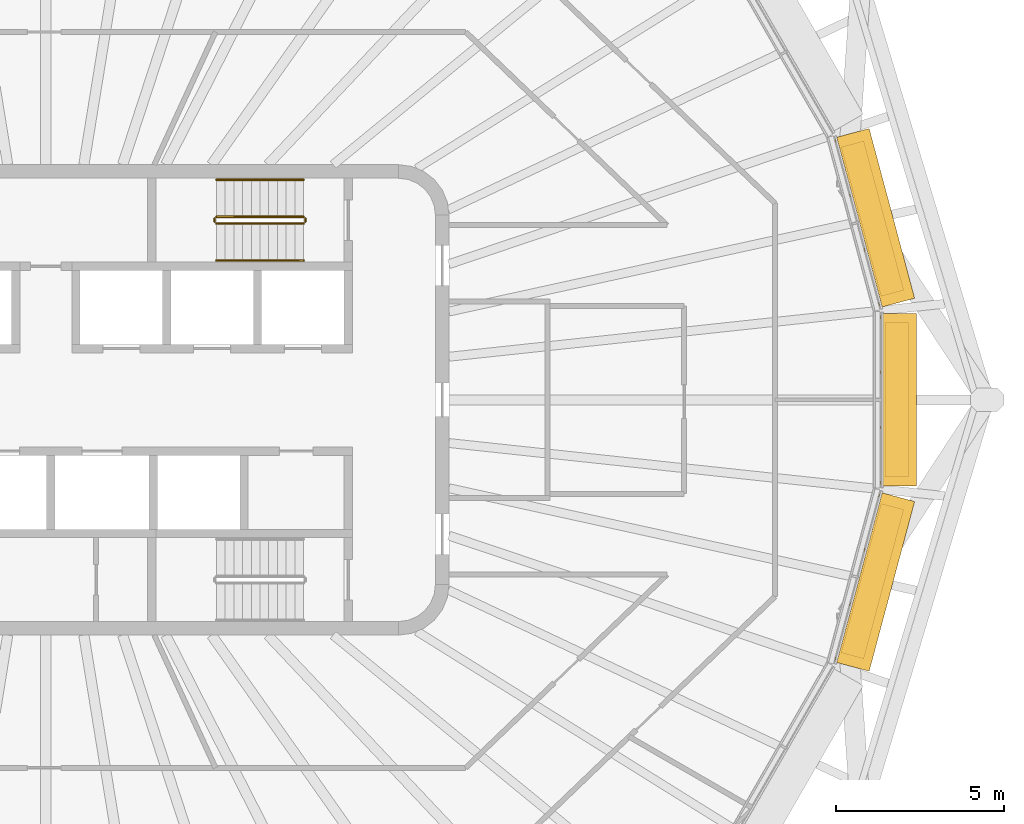
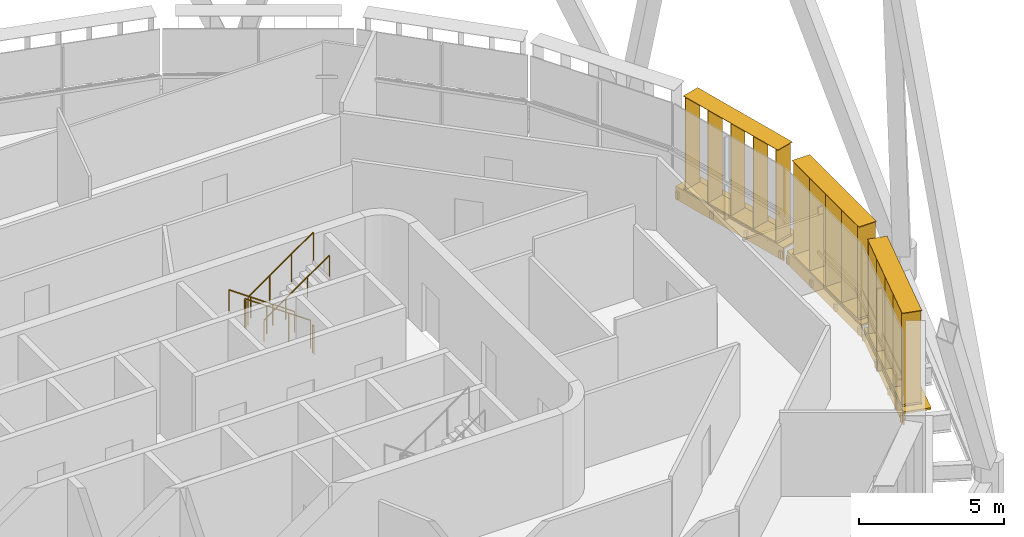
# One storey, part 17 of 18: 6 railings, 6 shading devices.
"""IFC4 building model written with IfcOpenShell, lengths in metres."""

from ifc_helpers import new_model, si_unit, direction, frame, origin, origin_2d, place, context, subcontext, project, spatial, rectangle, circle, extrude, material, type_object, element, save


model = new_model("IFC4")

# Units and contexts
model_context = context("Model", 3, precision=1e-05, world=origin(), true_north=direction((0.0, 1.0)))
body_context = subcontext(model_context, "Body", "Model", "MODEL_VIEW")
ifc_project = project(units=[si_unit("LENGTHUNIT", "METRE"), si_unit("AREAUNIT", "SQUARE_METRE"), si_unit("VOLUMEUNIT", "CUBIC_METRE"), si_unit("PLANEANGLEUNIT", "RADIAN"), si_unit("MASSUNIT", "GRAM", prefix="KILO")], contexts=[model_context])

# Site, building, storey
site_placement = place(None, origin())
site = spatial("IfcSite", under=ifc_project, at=site_placement, CompositionType="ELEMENT")
building_placement = place(site_placement, origin())
building = spatial("IfcBuilding", under=site, at=building_placement, Name="Sahrelin Media Tower", CompositionType="ELEMENT")
storey_placement = place(building_placement, frame((0.0, 0.0, 316.39990234375)))
storey = spatial("IfcBuildingStorey", under=building, at=storey_placement, Name="L70", CompositionType="ELEMENT", Elevation=316.39990234375)

# Shading devices
ifc_material_1 = material(Name="Champagne anodised aluminium 6063-T6", Category="aluminium")
shading_device_type_1 = type_object("IfcShadingDeviceType", Name="Fin cassette", PredefinedType="USERDEFINED", material=ifc_material_1)
placement_1 = place(storey_placement, frame((24.898193359375, 0.0, 0.0), z_axis=(0.0, 0.0, 1.0), x_axis=(0.0, -1.0, 0.0)))
element("IfcShadingDevice", 1, at=placement_1, inside=storey, type_object=shading_device_type_1, Name="L70:FIN:L70-00", ObjectType="FIN", PredefinedType="USERDEFINED", context=body_context, shape_type="SweptSolid", body=[
    extrude(rectangle(XDim=4.60009765625, YDim=0.699951171875, at=origin_2d()), frame((0.0, 0.419921875, 0.0)), (0.0, 0.0, 1.0), 0.02001953125),
    extrude(rectangle(XDim=4.60009765625, YDim=0.699951171875, at=origin_2d()), frame((0.0, 0.419921875, 3.89990234375)), (0.0, 0.0, 1.0), 0.02001953125),
    extrude(rectangle(XDim=0.02001953125, YDim=0.699951171875, at=origin_2d()), frame((-2.199951171875, 0.419921875, 0.010009765625), z_axis=(0.0, 0.0, 1.0), x_axis=(1.0, 0.0, 0.0)), (0.0, 0.0, 1.0), 3.89990234375),
    extrude(rectangle(XDim=0.02001953125, YDim=0.699951171875, at=origin_2d()), frame((-1.10009765625, 0.419921875, 0.010009765625), z_axis=(0.0, 0.0, 1.0), x_axis=(1.0, 0.0, 0.0)), (0.0, 0.0, 1.0), 3.89990234375),
    extrude(rectangle(XDim=0.02001953125, YDim=0.699951171875, at=origin_2d()), frame((0.0, 0.419921875, 0.010009765625), z_axis=(0.0, 0.0, 1.0), x_axis=(1.0, 0.0, 0.0)), (0.0, 0.0, 1.0), 3.89990234375),
    extrude(rectangle(XDim=0.02001953125, YDim=0.699951171875, at=origin_2d()), frame((1.10009765625, 0.419921875, 0.010009765625), z_axis=(0.0, 0.0, 1.0), x_axis=(1.0, 0.0, 0.0)), (0.0, 0.0, 1.0), 3.89990234375),
    extrude(rectangle(XDim=0.02001953125, YDim=0.699951171875, at=origin_2d()), frame((2.199951171875, 0.419921875, 0.010009765625), z_axis=(0.0, 0.0, 1.0), x_axis=(1.0, 0.0, 0.0)), (0.0, 0.0, 1.0), 3.89990234375),
])
placement_2 = place(storey_placement, frame((24.195556640625, 5.285888671875, 0.0), z_axis=(0.0, 0.0, 1.0), x_axis=(0.258807731996, -0.965928857556, 0.0)))
element("IfcShadingDevice", 2, at=placement_2, inside=storey, type_object=shading_device_type_1, Name="L70:FIN:L70-01", ObjectType="FIN", PredefinedType="USERDEFINED", context=body_context, shape_type="SweptSolid", body=[
    extrude(rectangle(XDim=4.60009765625, YDim=0.699951171875, at=origin_2d()), frame((0.0, 0.419921875, 0.0)), (0.0, 0.0, 1.0), 0.02001953125),
    extrude(rectangle(XDim=4.60009765625, YDim=0.699951171875, at=origin_2d()), frame((0.0, 0.419921875, 3.89990234375)), (0.0, 0.0, 1.0), 0.02001953125),
    extrude(rectangle(XDim=0.02001953125, YDim=0.699951171875, at=origin_2d()), frame((-2.199951171875, 0.419921875, 0.010009765625), z_axis=(0.0, 0.0, 1.0), x_axis=(1.0, 0.0, 0.0)), (0.0, 0.0, 1.0), 3.89990234375),
    extrude(rectangle(XDim=0.02001953125, YDim=0.699951171875, at=origin_2d()), frame((-1.10009765625, 0.419921875, 0.010009765625), z_axis=(0.0, 0.0, 1.0), x_axis=(1.0, 0.0, 0.0)), (0.0, 0.0, 1.0), 3.89990234375),
    extrude(rectangle(XDim=0.02001953125, YDim=0.699951171875, at=origin_2d()), frame((0.0, 0.419921875, 0.010009765625), z_axis=(0.0, 0.0, 1.0), x_axis=(1.0, 0.0, 0.0)), (0.0, 0.0, 1.0), 3.89990234375),
    extrude(rectangle(XDim=0.02001953125, YDim=0.699951171875, at=origin_2d()), frame((1.10009765625, 0.419921875, 0.010009765625), z_axis=(0.0, 0.0, 1.0), x_axis=(1.0, 0.0, 0.0)), (0.0, 0.0, 1.0), 3.89990234375),
    extrude(rectangle(XDim=0.02001953125, YDim=0.699951171875, at=origin_2d()), frame((2.199951171875, 0.419921875, 0.010009765625), z_axis=(0.0, 0.0, 1.0), x_axis=(1.0, 0.0, 0.0)), (0.0, 0.0, 1.0), 3.89990234375),
])
placement_3 = place(storey_placement, frame((24.195556640625, -5.285888671875, 0.0), z_axis=(0.0, 0.0, 1.0), x_axis=(-0.258807731996, -0.965928857556, 0.0)))
element("IfcShadingDevice", 3, at=placement_3, inside=storey, type_object=shading_device_type_1, Name="L70:FIN:L70-23", ObjectType="FIN", PredefinedType="USERDEFINED", context=body_context, shape_type="SweptSolid", body=[
    extrude(rectangle(XDim=4.60009765625, YDim=0.699951171875, at=origin_2d()), frame((0.0, 0.419921875, 0.0)), (0.0, 0.0, 1.0), 0.02001953125),
    extrude(rectangle(XDim=4.60009765625, YDim=0.699951171875, at=origin_2d()), frame((0.0, 0.419921875, 3.89990234375)), (0.0, 0.0, 1.0), 0.02001953125),
    extrude(rectangle(XDim=0.02001953125, YDim=0.699951171875, at=origin_2d()), frame((-2.199951171875, 0.419921875, 0.010009765625), z_axis=(0.0, 0.0, 1.0), x_axis=(1.0, 0.0, 0.0)), (0.0, 0.0, 1.0), 3.89990234375),
    extrude(rectangle(XDim=0.02001953125, YDim=0.699951171875, at=origin_2d()), frame((-1.10009765625, 0.419921875, 0.010009765625), z_axis=(0.0, 0.0, 1.0), x_axis=(1.0, 0.0, 0.0)), (0.0, 0.0, 1.0), 3.89990234375),
    extrude(rectangle(XDim=0.02001953125, YDim=0.699951171875, at=origin_2d()), frame((0.0, 0.419921875, 0.010009765625), z_axis=(0.0, 0.0, 1.0), x_axis=(1.0, 0.0, 0.0)), (0.0, 0.0, 1.0), 3.89990234375),
    extrude(rectangle(XDim=0.02001953125, YDim=0.699951171875, at=origin_2d()), frame((1.10009765625, 0.419921875, 0.010009765625), z_axis=(0.0, 0.0, 1.0), x_axis=(1.0, 0.0, 0.0)), (0.0, 0.0, 1.0), 3.89990234375),
    extrude(rectangle(XDim=0.02001953125, YDim=0.699951171875, at=origin_2d()), frame((2.199951171875, 0.419921875, 0.010009765625), z_axis=(0.0, 0.0, 1.0), x_axis=(1.0, 0.0, 0.0)), (0.0, 0.0, 1.0), 3.89990234375),
])

# Railings
ifc_material_2 = material(Name="Steel S355", Category="steel")
railing_type_1 = type_object("IfcRailingType", Name="Stair guard 1200", PredefinedType="GUARDRAIL", material=ifc_material_2)
railing_1_placement = place(storey_placement, frame((7.675048828125, 5.449951171875, 0.181884765625)))
element("IfcRailing", 4, at=railing_1_placement, inside=storey, type_object=railing_type_1, Name="L70 ST3 stair guard 1", PredefinedType="GUARDRAIL", context=body_context, shape_type="SweptSolid", body=[
    extrude(circle(Radius=0.02392578125, at=origin_2d()), frame((0.0, 0.0, 1.17578125), z_axis=(-0.819521025635, 0.0, 0.573049115296), x_axis=(0.0, -1.0, 0.0)), (0.0, 0.0, 1.0), 3.172607421875),
    extrude(circle(Radius=0.02099609375, at=origin_2d()), origin(), (0.0, 0.0, 1.0), 1.15185546875),
    extrude(circle(Radius=0.02099609375, at=origin_2d()), frame((-0.86669921875, 0.0, 0.60595703125)), (0.0, 0.0, 1.0), 1.15185546875),
    extrude(circle(Radius=0.02099609375, at=origin_2d()), frame((-1.7333984375, 0.0, 1.212158203125)), (0.0, 0.0, 1.0), 1.15185546875),
    extrude(circle(Radius=0.02099609375, at=origin_2d()), frame((-2.60009765625, 0.0, 1.818115234375)), (0.0, 0.0, 1.0), 1.15185546875),
])
railing_2_placement = place(storey_placement, frame((5.02490234375, 5.39990234375, 2.0)))
element("IfcRailing", 5, at=railing_2_placement, inside=storey, type_object=railing_type_1, Name="L70 ST3 stair guard 2", PredefinedType="GUARDRAIL", context=body_context, shape_type="SweptSolid", body=[
    extrude(circle(Radius=0.02392578125, at=origin_2d()), frame((0.0, 0.0, 1.17578125), z_axis=(0.0, -1.0, 0.0), x_axis=(1.0, 0.0, 0.0)), (0.0, 0.0, 1.0), 0.099853515625),
    extrude(circle(Radius=0.02099609375, at=origin_2d()), origin(), (0.0, 0.0, 1.0), 1.15185546875),
    extrude(circle(Radius=0.02099609375, at=origin_2d()), frame((0.0, -0.099853515625, 0.0)), (0.0, 0.0, 1.0), 1.15185546875),
])
railing_3_placement = place(storey_placement, frame((5.074951171875, 5.25, 2.181884765625)))
element("IfcRailing", 6, at=railing_3_placement, inside=storey, type_object=railing_type_1, Name="L70 ST3 stair guard 3", PredefinedType="GUARDRAIL", context=body_context, shape_type="SweptSolid", body=[
    extrude(circle(Radius=0.02392578125, at=origin_2d()), frame((0.0, 0.0, 1.17578125), z_axis=(0.819521025635, 0.0, 0.573049115296), x_axis=(0.0, 1.0, 0.0)), (0.0, 0.0, 1.0), 3.172607421875),
    extrude(circle(Radius=0.02099609375, at=origin_2d()), origin(), (0.0, 0.0, 1.0), 1.15185546875),
    extrude(circle(Radius=0.02099609375, at=origin_2d()), frame((0.86669921875, 0.0, 0.60595703125)), (0.0, 0.0, 1.0), 1.15185546875),
    extrude(circle(Radius=0.02099609375, at=origin_2d()), frame((1.7333984375, 0.0, 1.212158203125)), (0.0, 0.0, 1.0), 1.15185546875),
    extrude(circle(Radius=0.02099609375, at=origin_2d()), frame((2.60009765625, 0.0, 1.818115234375)), (0.0, 0.0, 1.0), 1.15185546875),
])
railing_4_placement = place(storey_placement, frame((7.72509765625, 5.39990234375, 0.0)))
element("IfcRailing", 7, at=railing_4_placement, inside=storey, type_object=railing_type_1, Name="L70 ST3 stair guard 4", PredefinedType="GUARDRAIL", context=body_context, shape_type="SweptSolid", body=[
    extrude(circle(Radius=0.02392578125, at=origin_2d()), frame((0.0, 0.0, 1.17578125), z_axis=(0.0, -1.0, 0.0), x_axis=(1.0, 0.0, 0.0)), (0.0, 0.0, 1.0), 0.099853515625),
    extrude(circle(Radius=0.02099609375, at=origin_2d()), origin(), (0.0, 0.0, 1.0), 1.15185546875),
    extrude(circle(Radius=0.02099609375, at=origin_2d()), frame((0.0, -0.099853515625, 0.0)), (0.0, 0.0, 1.0), 1.15185546875),
])
railing_type_2 = type_object("IfcRailingType", Name="Stair handrail 900", PredefinedType="HANDRAIL", material=ifc_material_2)
railing_5_placement = place(storey_placement, frame((7.675048828125, 6.550048828125, 0.181884765625)))
element("IfcRailing", 8, at=railing_5_placement, inside=storey, type_object=railing_type_2, Name="L70 ST3 stair handrail 1", PredefinedType="HANDRAIL", context=body_context, shape_type="SweptSolid", body=[
    extrude(circle(Radius=0.02392578125, at=origin_2d()), frame((0.0, 0.0, 0.8759765625), z_axis=(-0.819521025635, 0.0, 0.573049115296), x_axis=(0.0, -1.0, 0.0)), (0.0, 0.0, 1.0), 3.172607421875),
    extrude(circle(Radius=0.02099609375, at=origin_2d()), origin(), (0.0, 0.0, 1.0), 0.851806640625),
    extrude(circle(Radius=0.02099609375, at=origin_2d()), frame((-0.86669921875, 0.0, 0.60595703125)), (0.0, 0.0, 1.0), 0.851806640625),
    extrude(circle(Radius=0.02099609375, at=origin_2d()), frame((-1.7333984375, 0.0, 1.212158203125)), (0.0, 0.0, 1.0), 0.851806640625),
    extrude(circle(Radius=0.02099609375, at=origin_2d()), frame((-2.60009765625, 0.0, 1.818115234375)), (0.0, 0.0, 1.0), 0.851806640625),
])
railing_6_placement = place(storey_placement, frame((5.074951171875, 4.14990234375, 2.181884765625)))
element("IfcRailing", 9, at=railing_6_placement, inside=storey, type_object=railing_type_2, Name="L70 ST3 stair handrail 2", PredefinedType="HANDRAIL", context=body_context, shape_type="SweptSolid", body=[
    extrude(circle(Radius=0.02392578125, at=origin_2d()), frame((0.0, 0.0, 0.8759765625), z_axis=(0.819521025635, 0.0, 0.573049115296), x_axis=(0.0, 1.0, 0.0)), (0.0, 0.0, 1.0), 3.172607421875),
    extrude(circle(Radius=0.02099609375, at=origin_2d()), origin(), (0.0, 0.0, 1.0), 0.851806640625),
    extrude(circle(Radius=0.02099609375, at=origin_2d()), frame((0.86669921875, 0.0, 0.60595703125)), (0.0, 0.0, 1.0), 0.851806640625),
    extrude(circle(Radius=0.02099609375, at=origin_2d()), frame((1.7333984375, 0.0, 1.212158203125)), (0.0, 0.0, 1.0), 0.851806640625),
    extrude(circle(Radius=0.02099609375, at=origin_2d()), frame((2.60009765625, 0.0, 1.818115234375)), (0.0, 0.0, 1.0), 0.851806640625),
])

# Shading devices
shading_device_type_2 = type_object("IfcShadingDeviceType", Name="Sunshade band", PredefinedType="USERDEFINED", material=ifc_material_1)
element("IfcShadingDevice", 10, at=placement_1, inside=storey, type_object=shading_device_type_2, Name="L70:SUN:L70-00", ObjectType="SUNSHADE", PredefinedType="USERDEFINED", context=body_context, shape_type="SweptSolid", body=[
    extrude(rectangle(XDim=5.12744140625, YDim=0.050048828125, at=origin_2d()), frame((0.0, 0.044921875, -0.55126953125)), (0.0, 0.0, 1.0), 0.471435546875),
    extrude(rectangle(XDim=5.12744140625, YDim=1.0, at=origin_2d()), frame((0.0, 0.52001953125, -0.080078125)), (0.0, 0.0, 1.0), 0.080078125),
    extrude(rectangle(XDim=0.10009765625, YDim=0.074951171875, at=origin_2d()), frame((-2.463623046875, -0.017578125, -0.47021484375)), (0.0, 0.0, 1.0), 0.300048828125),
    extrude(rectangle(XDim=0.10009765625, YDim=0.074951171875, at=origin_2d()), frame((-0.8212890625, -0.017578125, -0.47021484375)), (0.0, 0.0, 1.0), 0.300048828125),
    extrude(rectangle(XDim=0.10009765625, YDim=0.074951171875, at=origin_2d()), frame((0.8212890625, -0.017578125, -0.47021484375)), (0.0, 0.0, 1.0), 0.300048828125),
    extrude(rectangle(XDim=0.10009765625, YDim=0.074951171875, at=origin_2d()), frame((2.463623046875, -0.017578125, -0.47021484375)), (0.0, 0.0, 1.0), 0.300048828125),
])
element("IfcShadingDevice", 11, at=placement_2, inside=storey, type_object=shading_device_type_2, Name="L70:SUN:L70-01", ObjectType="SUNSHADE", PredefinedType="USERDEFINED", context=body_context, shape_type="SweptSolid", body=[
    extrude(rectangle(XDim=5.2294921875, YDim=0.050048828125, at=origin_2d()), frame((0.0, 0.044921875, -0.55126953125)), (0.0, 0.0, 1.0), 0.471435546875),
    extrude(rectangle(XDim=5.2294921875, YDim=1.0, at=origin_2d()), frame((0.0, 0.52001953125, -0.080078125)), (0.0, 0.0, 1.0), 0.080078125),
    extrude(rectangle(XDim=0.10009765625, YDim=0.074951171875, at=origin_2d()), frame((-2.514892578125, -0.017578125, -0.47021484375)), (0.0, 0.0, 1.0), 0.300048828125),
    extrude(rectangle(XDim=0.10009765625, YDim=0.074951171875, at=origin_2d()), frame((-0.83837890625, -0.017578125, -0.47021484375)), (0.0, 0.0, 1.0), 0.300048828125),
    extrude(rectangle(XDim=0.10009765625, YDim=0.074951171875, at=origin_2d()), frame((0.83837890625, -0.017578125, -0.47021484375)), (0.0, 0.0, 1.0), 0.300048828125),
    extrude(rectangle(XDim=0.10009765625, YDim=0.074951171875, at=origin_2d()), frame((2.514892578125, -0.017578125, -0.47021484375)), (0.0, 0.0, 1.0), 0.300048828125),
])
element("IfcShadingDevice", 12, at=placement_3, inside=storey, type_object=shading_device_type_2, Name="L70:SUN:L70-23", ObjectType="SUNSHADE", PredefinedType="USERDEFINED", context=body_context, shape_type="SweptSolid", body=[
    extrude(rectangle(XDim=5.2294921875, YDim=0.050048828125, at=origin_2d()), frame((0.0, 0.044921875, -0.55126953125)), (0.0, 0.0, 1.0), 0.471435546875),
    extrude(rectangle(XDim=5.2294921875, YDim=1.0, at=origin_2d()), frame((0.0, 0.52001953125, -0.080078125)), (0.0, 0.0, 1.0), 0.080078125),
    extrude(rectangle(XDim=0.10009765625, YDim=0.074951171875, at=origin_2d()), frame((-2.514892578125, -0.017578125, -0.47021484375)), (0.0, 0.0, 1.0), 0.300048828125),
    extrude(rectangle(XDim=0.10009765625, YDim=0.074951171875, at=origin_2d()), frame((-0.83837890625, -0.017578125, -0.47021484375)), (0.0, 0.0, 1.0), 0.300048828125),
    extrude(rectangle(XDim=0.10009765625, YDim=0.074951171875, at=origin_2d()), frame((0.83837890625, -0.017578125, -0.47021484375)), (0.0, 0.0, 1.0), 0.300048828125),
    extrude(rectangle(XDim=0.10009765625, YDim=0.074951171875, at=origin_2d()), frame((2.514892578125, -0.017578125, -0.47021484375)), (0.0, 0.0, 1.0), 0.300048828125),
])

save(model, "model.ifc")
